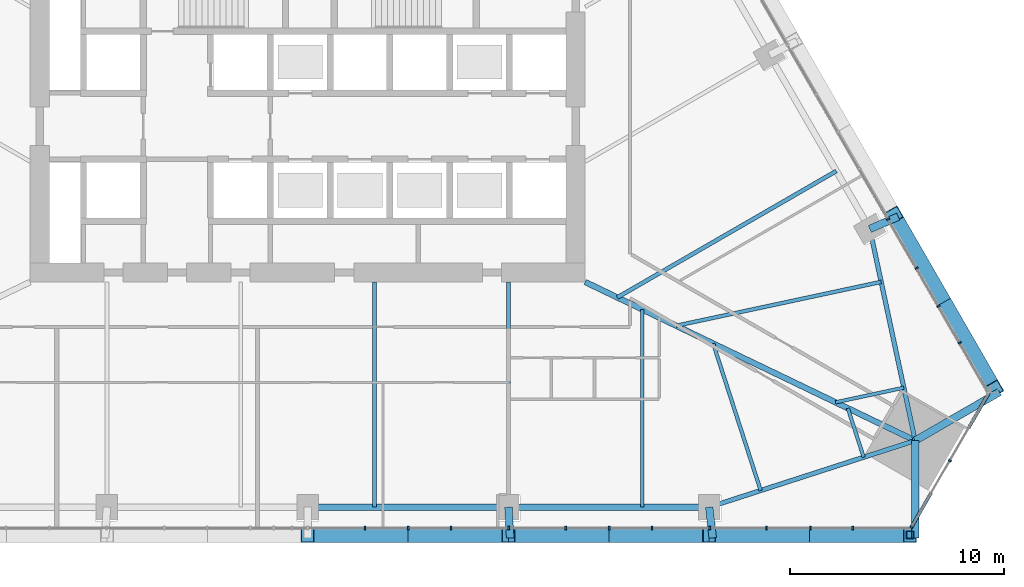
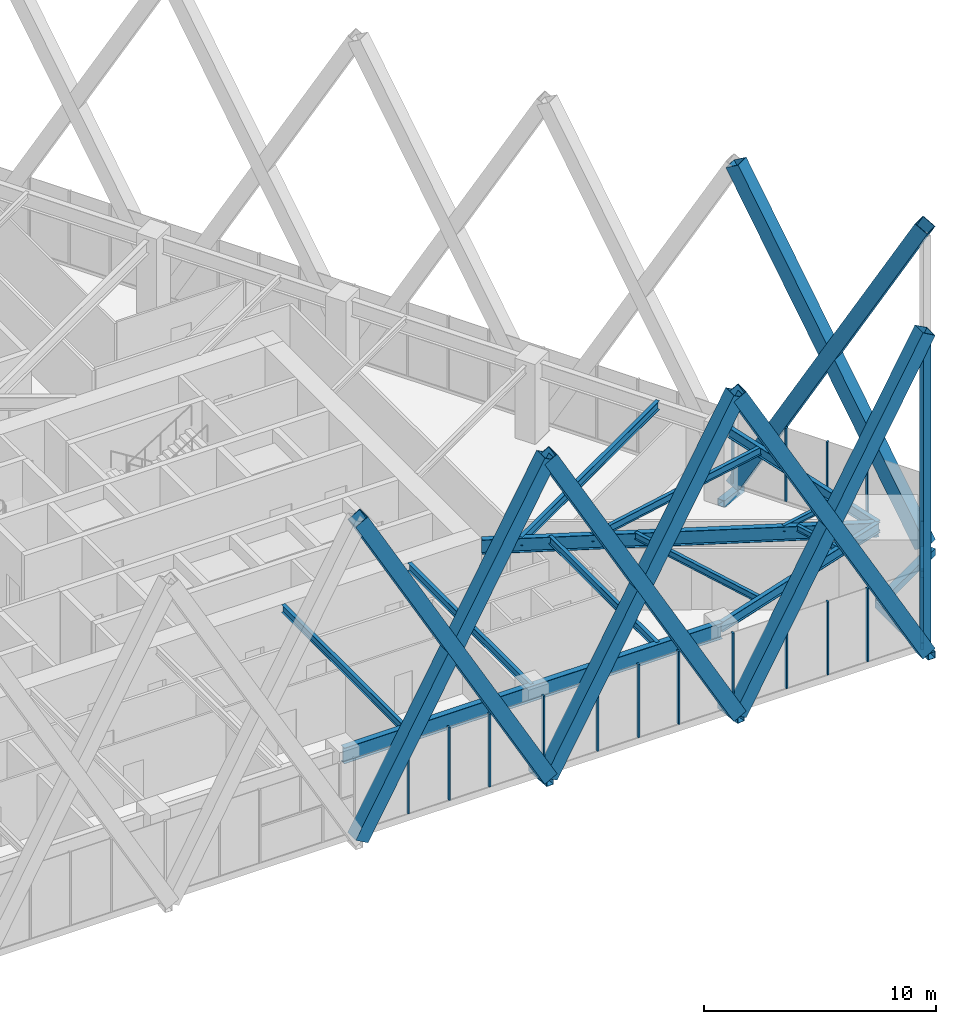
# One storey, part 7 of 21: 33 members, 12 beams, 3 elements without a shape of their own.
"""IFC4 building model written with IfcOpenShell, lengths in metres."""

from ifc_helpers import new_model, si_unit, direction, frame, origin, origin_2d, place, context, subcontext, project, spatial, rectangle, hollow_rectangle, i_section, extrude, material, layer, layer_set, material_profile, profile_set, type_object, element, aggregate, save


model = new_model("IFC4")

# Units and contexts
model_context = context("Model", 3, precision=1e-05, world=origin(), true_north=direction((0.0, 1.0)))
body_context = subcontext(model_context, "Body", "Model", "MODEL_VIEW")
ifc_project = project(units=[si_unit("LENGTHUNIT", "METRE"), si_unit("AREAUNIT", "SQUARE_METRE"), si_unit("VOLUMEUNIT", "CUBIC_METRE"), si_unit("PLANEANGLEUNIT", "RADIAN"), si_unit("MASSUNIT", "GRAM", prefix="KILO")], contexts=[model_context])

# Site, building, storey
site_placement = place(None, origin())
site = spatial("IfcSite", under=ifc_project, at=site_placement, CompositionType="ELEMENT")
building_placement = place(site_placement, origin())
building = spatial("IfcBuilding", under=site, at=building_placement, Name="Firuza Gate Tower and Library", CompositionType="ELEMENT")
storey_placement = place(building_placement, frame((0.0, 0.0, 90.39990234375)))
storey = spatial("IfcBuildingStorey", under=building, at=storey_placement, Name="L20", CompositionType="ELEMENT", Elevation=90.39990234375)

# Members
ifc_material_1 = material(Name="Steel S355", Category="steel")
ifc_material_profile_1 = material_profile(ifc_material_1, hollow_rectangle(XDim=0.699951171875, YDim=0.699951171875, WallThickness=0.030029296875, at=origin_2d()))
ifc_profile_set_1 = profile_set([ifc_material_profile_1], Name="Steel S355")
member_type_1 = type_object("IfcMemberType", Name="BU700x700x30 Lattice brace", PredefinedType="BRACE", material=ifc_profile_set_1)
for number, where, z_axis, x_axis, name in (
    (1, (75.0, 54.156005859375, 0.0), (0.488417237536, 0.0, 0.872610223455), (0.0, 1.0, 0.0), "Lattice brace S 4.4R"),
    (2, (84.4033203125, 54.156005859375, 0.0), (-0.488417237536, 0.0, 0.872610223455), (0.0, -1.0, 0.0), "Lattice brace S 4.4L"),
    (3, (84.4033203125, 54.156005859375, 0.0), (0.488417237536, 0.0, 0.872610223455), (0.0, 1.0, 0.0), "Lattice brace S 4.5R"),
    (4, (93.806640625, 54.156005859375, 0.0), (-0.488417237536, 0.0, 0.872610223455), (0.0, -1.0, 0.0), "Lattice brace S 4.5L"),
    (5, (93.806640625, 54.156005859375, 0.0), (0.488426893294, 0.0, 0.872604818865), (0.0, 1.0, 0.0), "Lattice brace S 4.6R"),
    (6, (103.210205078125, 54.156005859375, 0.0), (-0.488426893294, 0.0, 0.872604818865), (0.0, -1.0, 0.0), "Lattice brace S 4.6L"),
    (7, (107.156494140625, 60.991455078125, 0.0), (-0.24420840192, 0.422983459052, 0.872609448608), (-0.866026478318, -0.499998138849, 0.0), "Lattice brace E 4.1R"),
    (8, (102.454833984375, 69.135009765625, 0.0), (0.24420840192, -0.422983459052, 0.872609448608), (0.866026478318, 0.499998138849, 0.0), "Lattice brace E 4.1L"),
):
    element("IfcMember", number, at=place(storey_placement, frame(where, z_axis=z_axis, x_axis=x_axis)), inside=storey, type_object=member_type_1, Name=name, PredefinedType="BRACE", context=body_context, shape_type="SweptSolid", body=[
        extrude(hollow_rectangle(XDim=0.699951171875, YDim=0.699951171875, WallThickness=0.030029296875, at=origin_2d()), origin(), (0.0, 0.0, 1.0), 19.252685546875),
    ])

# Curtain wall, members
ifc_material_2 = material(Name="Aluminium 6063-T6", Category="aluminium")
ifc_layer_1 = layer(ifc_material_2, 0.14990234375)
ifc_layer_set_1 = layer_set([ifc_layer_1], Name="Unitised curtain wall, offices")
curtain_wall_type_1 = type_object("IfcCurtainWallType", Name="Unitised curtain wall, offices", PredefinedType="NOTDEFINED", material=ifc_layer_set_1)
placement = place(storey_placement, origin())
curtain_wall_1 = element("IfcCurtainWall", 9, at=placement, inside=storey, type_object=curtain_wall_type_1, Name="CW1 L20 S face", PredefinedType="NOTDEFINED")
ifc_material_3 = material(Name="Aluminium 6063-T6", Category="aluminium")
ifc_material_profile_2 = material_profile(ifc_material_3, rectangle(XDim=0.14990234375, YDim=0.080078125, at=origin_2d()))
ifc_profile_set_2 = profile_set([ifc_material_profile_2], Name="Aluminium 6063-T6")
member_type_2 = type_object("IfcMemberType", Name="Curtain wall mullion 80x150", PredefinedType="MULLION", material=ifc_profile_set_2)
member_1_placement = place(storey_placement, frame((79.708984375, 54.48095703125, 0.150146484375), z_axis=(0.0, 0.0, 1.0), x_axis=(0.0, 1.0, 0.0)))
member_1 = element("IfcMember", 10, at=member_1_placement, type_object=member_type_2, Name="Mullion", PredefinedType="MULLION", context=body_context, shape_type="SweptSolid", body=[
    extrude(rectangle(XDim=0.14990234375, YDim=0.080078125, at=origin_2d()), origin(), (0.0, 0.0, 1.0), 3.849853515625),
])
member_2_placement = place(storey_placement, frame((84.417724609375, 54.48095703125, 0.150146484375), z_axis=(0.0, 0.0, 1.0), x_axis=(0.0, 1.0, 0.0)))
member_2 = element("IfcMember", 11, at=member_2_placement, type_object=member_type_2, Name="Mullion", PredefinedType="MULLION", context=body_context, shape_type="SweptSolid", body=[
    extrude(rectangle(XDim=0.14990234375, YDim=0.080078125, at=origin_2d()), origin(), (0.0, 0.0, 1.0), 3.849853515625),
])
member_3_placement = place(storey_placement, frame((89.126708984375, 54.48095703125, 0.150146484375), z_axis=(0.0, 0.0, 1.0), x_axis=(0.0, 1.0, 0.0)))
member_3 = element("IfcMember", 12, at=member_3_placement, type_object=member_type_2, Name="Mullion", PredefinedType="MULLION", context=body_context, shape_type="SweptSolid", body=[
    extrude(rectangle(XDim=0.14990234375, YDim=0.080078125, at=origin_2d()), origin(), (0.0, 0.0, 1.0), 3.849853515625),
])
member_4_placement = place(storey_placement, frame((93.835693359375, 54.48095703125, 0.150146484375), z_axis=(0.0, 0.0, 1.0), x_axis=(0.0, 1.0, 0.0)))
member_4 = element("IfcMember", 13, at=member_4_placement, type_object=member_type_2, Name="Mullion", PredefinedType="MULLION", context=body_context, shape_type="SweptSolid", body=[
    extrude(rectangle(XDim=0.14990234375, YDim=0.080078125, at=origin_2d()), origin(), (0.0, 0.0, 1.0), 3.849853515625),
])
member_5_placement = place(storey_placement, frame((98.54443359375, 54.48095703125, 0.150146484375), z_axis=(0.0, 0.0, 1.0), x_axis=(0.0, 1.0, 0.0)))
member_5 = element("IfcMember", 14, at=member_5_placement, type_object=member_type_2, Name="Mullion", PredefinedType="MULLION", context=body_context, shape_type="SweptSolid", body=[
    extrude(rectangle(XDim=0.14990234375, YDim=0.080078125, at=origin_2d()), origin(), (0.0, 0.0, 1.0), 3.849853515625),
])
member_6_placement = place(storey_placement, frame((77.68505859375, 54.48095703125, 0.150146484375), z_axis=(0.0, 0.0, 1.0), x_axis=(0.0, 1.0, 0.0)))
member_6 = element("IfcMember", 15, at=member_6_placement, type_object=member_type_2, Name="Mullion", PredefinedType="MULLION", context=body_context, shape_type="SweptSolid", body=[
    extrude(rectangle(XDim=0.14990234375, YDim=0.080078125, at=origin_2d()), origin(), (0.0, 0.0, 1.0), 3.849853515625),
])
member_7_placement = place(storey_placement, frame((81.71826171875, 54.48095703125, 0.150146484375), z_axis=(0.0, 0.0, 1.0), x_axis=(0.0, 1.0, 0.0)))
member_7 = element("IfcMember", 16, at=member_7_placement, type_object=member_type_2, Name="Mullion", PredefinedType="MULLION", context=body_context, shape_type="SweptSolid", body=[
    extrude(rectangle(XDim=0.14990234375, YDim=0.080078125, at=origin_2d()), origin(), (0.0, 0.0, 1.0), 3.849853515625),
])
member_8_placement = place(storey_placement, frame((87.08837890625, 54.48095703125, 0.150146484375), z_axis=(0.0, 0.0, 1.0), x_axis=(0.0, 1.0, 0.0)))
member_8 = element("IfcMember", 17, at=member_8_placement, type_object=member_type_2, Name="Mullion", PredefinedType="MULLION", context=body_context, shape_type="SweptSolid", body=[
    extrude(rectangle(XDim=0.14990234375, YDim=0.080078125, at=origin_2d()), origin(), (0.0, 0.0, 1.0), 3.849853515625),
])
member_9_placement = place(storey_placement, frame((91.121826171875, 54.48095703125, 0.150146484375), z_axis=(0.0, 0.0, 1.0), x_axis=(0.0, 1.0, 0.0)))
member_9 = element("IfcMember", 18, at=member_9_placement, type_object=member_type_2, Name="Mullion", PredefinedType="MULLION", context=body_context, shape_type="SweptSolid", body=[
    extrude(rectangle(XDim=0.14990234375, YDim=0.080078125, at=origin_2d()), origin(), (0.0, 0.0, 1.0), 3.849853515625),
])
member_10_placement = place(storey_placement, frame((96.49169921875, 54.48095703125, 0.150146484375), z_axis=(0.0, 0.0, 1.0), x_axis=(0.0, 1.0, 0.0)))
member_10 = element("IfcMember", 19, at=member_10_placement, type_object=member_type_2, Name="Mullion", PredefinedType="MULLION", context=body_context, shape_type="SweptSolid", body=[
    extrude(rectangle(XDim=0.14990234375, YDim=0.080078125, at=origin_2d()), origin(), (0.0, 0.0, 1.0), 3.849853515625),
])
member_11_placement = place(storey_placement, frame((100.525146484375, 54.48095703125, 0.150146484375), z_axis=(0.0, 0.0, 1.0), x_axis=(0.0, 1.0, 0.0)))
member_11 = element("IfcMember", 20, at=member_11_placement, type_object=member_type_2, Name="Mullion", PredefinedType="MULLION", context=body_context, shape_type="SweptSolid", body=[
    extrude(rectangle(XDim=0.14990234375, YDim=0.080078125, at=origin_2d()), origin(), (0.0, 0.0, 1.0), 3.849853515625),
])
aggregate(curtain_wall_1, [member_1, member_2, member_3, member_4, member_5, member_6, member_7, member_8, member_9, member_10, member_11])

ifc_material_4 = material(Name="Aluminium 6063-T6", Category="aluminium")
ifc_layer_2 = layer(ifc_material_4, 0.14990234375)
ifc_layer_set_2 = layer_set([ifc_layer_2], Name="Corner curtain wall, chamfers")
curtain_wall_type_2 = type_object("IfcCurtainWallType", Name="Corner curtain wall, chamfers", PredefinedType="NOTDEFINED", material=ifc_layer_set_2)
curtain_wall_2 = element("IfcCurtainWall", 21, at=placement, inside=storey, type_object=curtain_wall_type_2, Name="CW4 L20 SE corner", PredefinedType="NOTDEFINED")
member_12_placement = place(storey_placement, frame((103.2734375, 54.515625, 0.150146484375), z_axis=(0.0, 0.0, 1.0), x_axis=(-0.866025403784, 0.5, 0.0)))
member_12 = element("IfcMember", 22, at=member_12_placement, type_object=member_type_2, Name="Mullion", PredefinedType="MULLION", context=body_context, shape_type="SweptSolid", body=[
    extrude(rectangle(XDim=0.14990234375, YDim=0.080078125, at=origin_2d()), origin(), (0.0, 0.0, 1.0), 3.849853515625),
])
member_13_placement = place(storey_placement, frame((105.074951171875, 57.63623046875, 0.150146484375), z_axis=(0.0, 0.0, 1.0), x_axis=(-0.866025403784, 0.5, 0.0)))
member_13 = element("IfcMember", 23, at=member_13_placement, type_object=member_type_2, Name="Mullion", PredefinedType="MULLION", context=body_context, shape_type="SweptSolid", body=[
    extrude(rectangle(XDim=0.14990234375, YDim=0.080078125, at=origin_2d()), origin(), (0.0, 0.0, 1.0), 3.849853515625),
])

curtain_wall_3 = element("IfcCurtainWall", 24, at=placement, inside=storey, type_object=curtain_wall_type_1, Name="CW1 L20 E face", PredefinedType="NOTDEFINED")
member_14_placement = place(storey_placement, frame((104.542236328125, 64.869384765625, 0.150146484375), z_axis=(0.0, 0.0, 1.0), x_axis=(-0.866025403784, -0.5, 0.0)))
member_14 = element("IfcMember", 25, at=member_14_placement, type_object=member_type_2, Name="Mullion", PredefinedType="MULLION", context=body_context, shape_type="SweptSolid", body=[
    extrude(rectangle(XDim=0.14990234375, YDim=0.080078125, at=origin_2d()), origin(), (0.0, 0.0, 1.0), 3.849853515625),
])
member_15_placement = place(storey_placement, frame((102.187744140625, 68.947509765625, 0.150146484375), z_axis=(0.0, 0.0, 1.0), x_axis=(-0.866025403784, -0.5, 0.0)))
member_15 = element("IfcMember", 26, at=member_15_placement, type_object=member_type_2, Name="Mullion", PredefinedType="MULLION", context=body_context, shape_type="SweptSolid", body=[
    extrude(rectangle(XDim=0.14990234375, YDim=0.080078125, at=origin_2d()), origin(), (0.0, 0.0, 1.0), 3.849853515625),
])
member_16_placement = place(storey_placement, frame((105.532470703125, 63.154052734375, 0.150146484375), z_axis=(0.0, 0.0, 1.0), x_axis=(-0.866025403784, -0.5, 0.0)))
member_16 = element("IfcMember", 27, at=member_16_placement, type_object=member_type_2, Name="Mullion", PredefinedType="MULLION", context=body_context, shape_type="SweptSolid", body=[
    extrude(rectangle(XDim=0.14990234375, YDim=0.080078125, at=origin_2d()), origin(), (0.0, 0.0, 1.0), 3.849853515625),
])
member_17_placement = place(storey_placement, frame((103.515869140625, 66.647216796875, 0.150146484375), z_axis=(0.0, 0.0, 1.0), x_axis=(-0.866025403784, -0.5, 0.0)))
member_17 = element("IfcMember", 28, at=member_17_placement, type_object=member_type_2, Name="Mullion", PredefinedType="MULLION", context=body_context, shape_type="SweptSolid", body=[
    extrude(rectangle(XDim=0.14990234375, YDim=0.080078125, at=origin_2d()), origin(), (0.0, 0.0, 1.0), 3.849853515625),
])
aggregate(curtain_wall_3, [member_14, member_15, member_16, member_17])

# Member
ifc_material_5 = material(Name="Aluminium 6063-T6", Category="aluminium")
ifc_material_profile_3 = material_profile(ifc_material_5, rectangle(XDim=0.14990234375, YDim=0.35009765625, at=origin_2d()))
ifc_profile_set_3 = profile_set([ifc_material_profile_3], Name="Aluminium 6063-T6")
member_type_3 = type_object("IfcMemberType", Name="Curtain wall transom 350x150", PredefinedType="USERDEFINED", material=ifc_profile_set_3)
member_18_placement = place(storey_placement, frame((103.25341796875, 54.48095703125, -0.02490234375), z_axis=(0.499983064336, 0.866035181374, 0.0), x_axis=(-0.866035181374, 0.499983064336, 0.0)))
member_18 = element("IfcMember", 29, at=member_18_placement, type_object=member_type_3, Name="Transom", ObjectType="TRANSOM", PredefinedType="USERDEFINED", context=body_context, shape_type="SweptSolid", body=[
    extrude(rectangle(XDim=0.14990234375, YDim=0.35009765625, at=origin_2d()), origin(), (0.0, 0.0, 1.0), 1.89208984375),
])

member_19_placement = place(storey_placement, frame((105.95068359375, 59.152587890625, -0.02490234375), z_axis=(0.499983064336, 0.866035181374, 0.0), x_axis=(-0.866035181374, 0.499983064336, 0.0)))
member_19 = element("IfcMember", 30, at=member_19_placement, type_object=member_type_3, Name="Transom", ObjectType="TRANSOM", PredefinedType="USERDEFINED", context=body_context, shape_type="SweptSolid", body=[
    extrude(rectangle(XDim=0.14990234375, YDim=0.35009765625, at=origin_2d()), origin(), (0.0, 0.0, 1.0), 1.89208984375),
])

aggregate(curtain_wall_2, [member_12, member_13, member_18, member_19])

# Members
ifc_material_6 = material(Name="Steel S355", Category="steel")
ifc_material_profile_4 = material_profile(ifc_material_6, hollow_rectangle(XDim=0.355712890625, YDim=0.355712890625, WallThickness=0.014892578125, at=origin_2d()))
ifc_profile_set_4 = profile_set([ifc_material_profile_4], Name="Steel S355")
member_type_4 = type_object("IfcMemberType", Name="HSS356x356x16 Lattice corner stile", PredefinedType="BRACE", material=ifc_profile_set_4)
member_20_placement = place(storey_placement, frame((103.210205078125, 54.156005859375, -0.139892578125), z_axis=(0.0, 0.0, 1.0), x_axis=(1.0, 0.0, 0.0)))
element("IfcMember", 31, at=member_20_placement, inside=storey, type_object=member_type_4, Name="Lattice corner stile S 4.B", PredefinedType="BRACE", context=body_context, shape_type="SweptSolid", body=[
    extrude(hollow_rectangle(XDim=0.355712890625, YDim=0.355712890625, WallThickness=0.014892578125, at=origin_2d()), origin(), (0.0, 0.0, 1.0), 16.43994140625),
])
ifc_material_7 = material(Name="Steel S355", Category="steel")
ifc_material_profile_5 = material_profile(ifc_material_7, hollow_rectangle(XDim=0.355712890625, YDim=0.355712890625, WallThickness=0.014892578125, at=origin_2d()))
ifc_profile_set_5 = profile_set([ifc_material_profile_5], Name="Steel S355")
member_type_5 = type_object("IfcMemberType", Name="HSS356x356x16 Lattice node tie", PredefinedType="BRACE", material=ifc_profile_set_5)
member_21_placement = place(storey_placement, frame((101.3291015625, 68.48486328125, -0.31982421875), z_axis=(0.91692020513, 0.399070592031, 0.0), x_axis=(-0.399070592031, 0.91692020513, 0.0)))
element("IfcMember", 32, at=member_21_placement, inside=storey, type_object=member_type_5, Name="Lattice node tie E L20 69", PredefinedType="BRACE", context=body_context, shape_type="SweptSolid", body=[
    extrude(hollow_rectangle(XDim=0.355712890625, YDim=0.355712890625, WallThickness=0.014892578125, at=origin_2d()), origin(), (0.0, 0.0, 1.0), 1.451171875),
])
member_22_placement = place(storey_placement, frame((103.451171875, 58.57373046875, -0.31982421875), z_axis=(0.866554392676, 0.499082642989, 0.0), x_axis=(-0.499082642989, 0.866554392676, 0.0)))
element("IfcMember", 33, at=member_22_placement, inside=storey, type_object=member_type_5, Name="Lattice node tie E L20 70", PredefinedType="BRACE", context=body_context, shape_type="SweptSolid", body=[
    extrude(hollow_rectangle(XDim=0.355712890625, YDim=0.355712890625, WallThickness=0.014892578125, at=origin_2d()), origin(), (0.0, 0.0, 1.0), 4.5595703125),
])
member_23_placement = place(storey_placement, frame((84.4033203125, 55.4560546875, -0.31982421875), z_axis=(0.056799452131, -0.998385607988, 0.0), x_axis=(0.998385607988, 0.056799452131, 0.0)))
element("IfcMember", 34, at=member_23_placement, inside=storey, type_object=member_type_5, Name="Lattice node tie S L20 75", PredefinedType="BRACE", context=body_context, shape_type="SweptSolid", body=[
    extrude(hollow_rectangle(XDim=0.355712890625, YDim=0.355712890625, WallThickness=0.014892578125, at=origin_2d()), origin(), (0.0, 0.0, 1.0), 1.4443359375),
])
member_24_placement = place(storey_placement, frame((93.806640625, 55.4560546875, -0.31982421875), z_axis=(0.113053127433, -0.993588944372, 0.0), x_axis=(0.993588944372, 0.113053127433, 0.0)))
element("IfcMember", 35, at=member_24_placement, inside=storey, type_object=member_type_5, Name="Lattice node tie S L20 76", PredefinedType="BRACE", context=body_context, shape_type="SweptSolid", body=[
    extrude(hollow_rectangle(XDim=0.355712890625, YDim=0.355712890625, WallThickness=0.014892578125, at=origin_2d()), origin(), (0.0, 0.0, 1.0), 1.451171875),
])
member_25_placement = place(storey_placement, frame((103.451171875, 58.57373046875, -0.31982421875), z_axis=(0.001017347942, -0.999999482501, 0.0), x_axis=(0.999999482501, 0.001017347942, 0.0)))
element("IfcMember", 36, at=member_25_placement, inside=storey, type_object=member_type_5, Name="Lattice node tie S L20 77", PredefinedType="BRACE", context=body_context, shape_type="SweptSolid", body=[
    extrude(hollow_rectangle(XDim=0.355712890625, YDim=0.355712890625, WallThickness=0.014892578125, at=origin_2d()), origin(), (0.0, 0.0, 1.0), 4.5595703125),
])

# Beams
ifc_material_8 = material(Name="Steel S355", Category="steel")
ifc_material_profile_6 = material_profile(ifc_material_8, i_section(OverallWidth=0.1650390625, OverallDepth=0.31005859375, WebThickness=0.005859375, FlangeThickness=0.009765625, at=origin_2d()))
ifc_profile_set_6 = profile_set([ifc_material_profile_6], Name="Steel S355")
beam_type_1 = type_object("IfcBeamType", Name="W310x39 Floor beam", PredefinedType="JOIST", material=ifc_profile_set_6)
beam_1_placement = place(storey_placement, frame((101.0400390625, 57.794189453125, 3.84521484375), z_axis=(-0.307529192358, 0.951538646534, 0.0), x_axis=(-0.951538646534, -0.307529192358, 0.0)))
element("IfcBeam", 37, at=beam_1_placement, inside=storey, type_object=beam_type_1, Name="Floor beam L20 s31", PredefinedType="JOIST", context=body_context, shape_type="SweptSolid", body=[
    extrude(i_section(OverallWidth=0.1650390625, OverallDepth=0.31005859375, WebThickness=0.005859375, FlangeThickness=0.009765625, at=origin_2d()), origin(), (0.0, 0.0, 1.0), 2.411865234375),
])
beam_2_placement = place(storey_placement, frame((102.920654296875, 61.051513671875, 3.84521484375), z_axis=(-0.97783625128, -0.209371119503, 0.0), x_axis=(0.209371119503, -0.97783625128, 0.0)))
element("IfcBeam", 38, at=beam_2_placement, inside=storey, type_object=beam_type_1, Name="Floor beam L20 s40", PredefinedType="JOIST", context=body_context, shape_type="SweptSolid", body=[
    extrude(i_section(OverallWidth=0.1650390625, OverallDepth=0.31005859375, WebThickness=0.005859375, FlangeThickness=0.009765625, at=origin_2d()), origin(), (0.0, 0.0, 1.0), 3.27197265625),
])
ifc_material_9 = material(Name="Steel S355", Category="steel")
ifc_material_profile_7 = material_profile(ifc_material_9, i_section(OverallWidth=0.1708984375, OverallDepth=0.35498046875, WebThickness=0.007080078125, FlangeThickness=0.01171875, at=origin_2d()))
ifc_profile_set_7 = profile_set([ifc_material_profile_7], Name="Steel S355")
beam_type_2 = type_object("IfcBeamType", Name="W360x51 Floor beam", PredefinedType="JOIST", material=ifc_profile_set_7)
beam_3_placement = place(storey_placement, frame((96.2177734375, 56.2353515625, 3.822509765625), z_axis=(-0.307569618225, 0.951525580289, 0.0), x_axis=(-0.951525580289, -0.307569618225, 0.0)))
element("IfcBeam", 39, at=beam_3_placement, inside=storey, type_object=beam_type_2, Name="Floor beam L20 s30", PredefinedType="JOIST", context=body_context, shape_type="SweptSolid", body=[
    extrude(i_section(OverallWidth=0.1708984375, OverallDepth=0.35498046875, WebThickness=0.007080078125, FlangeThickness=0.01171875, at=origin_2d()), origin(), (0.0, 0.0, 1.0), 7.2353515625),
])
ifc_material_10 = material(Name="Steel S355", Category="steel")
ifc_material_profile_8 = material_profile(ifc_material_10, i_section(OverallWidth=0.177978515625, OverallDepth=0.406982421875, WebThickness=0.0078125, FlangeThickness=0.0126953125, at=origin_2d()))
ifc_profile_set_8 = profile_set([ifc_material_profile_8], Name="Steel S355")
beam_type_3 = type_object("IfcBeamType", Name="W410x60 Floor beam", PredefinedType="JOIST", material=ifc_profile_set_8)
for number, where, z_axis, x_axis, name in (
    (40, (78.134521484375, 55.4560546875, 3.796630859375), (0.0, 1.0, 0.0), (-1.0, 0.0, 0.0), "Floor beam L20 s23"),
    (41, (84.4033203125, 55.4560546875, 3.796630859375), (0.0, 1.0, 0.0), (-1.0, 0.0, 0.0), "Floor beam L20 s24"),
):
    element("IfcBeam", number, at=place(storey_placement, frame(where, z_axis=z_axis, x_axis=x_axis)), inside=storey, type_object=beam_type_3, Name=name, PredefinedType="JOIST", context=body_context, shape_type="SweptSolid", body=[
        extrude(i_section(OverallWidth=0.177978515625, OverallDepth=0.406982421875, WebThickness=0.0078125, FlangeThickness=0.0126953125, at=origin_2d()), origin(), (0.0, 0.0, 1.0), 10.5439453125),
    ])
beam_4_placement = place(storey_placement, frame((90.67236328125, 55.4560546875, 3.796630859375), z_axis=(0.0, 1.0, 0.0), x_axis=(-1.0, 0.0, 0.0)))
element("IfcBeam", 42, at=beam_4_placement, inside=storey, type_object=beam_type_3, Name="Floor beam L20 s25", PredefinedType="JOIST", context=body_context, shape_type="SweptSolid", body=[
    extrude(i_section(OverallWidth=0.177978515625, OverallDepth=0.406982421875, WebThickness=0.0078125, FlangeThickness=0.0126953125, at=origin_2d()), origin(), (0.0, 0.0, 1.0), 9.259521484375),
])
beam_5_placement = place(storey_placement, frame((101.859619140625, 66.007080078125, 3.796630859375), z_axis=(-0.977835160952, -0.209376211652, 0.0), x_axis=(0.209376211652, -0.977835160952, 0.0)))
element("IfcBeam", 43, at=beam_5_placement, inside=storey, type_object=beam_type_3, Name="Floor beam L20 s41", PredefinedType="JOIST", context=body_context, shape_type="SweptSolid", body=[
    extrude(i_section(OverallWidth=0.177978515625, OverallDepth=0.406982421875, WebThickness=0.0078125, FlangeThickness=0.0126953125, at=origin_2d()), origin(), (0.0, 0.0, 1.0), 9.815673828125),
])
ifc_material_11 = material(Name="Steel S355", Category="steel")
ifc_material_profile_9 = material_profile(ifc_material_11, i_section(OverallWidth=0.18994140625, OverallDepth=0.45703125, WebThickness=0.009033203125, FlangeThickness=0.014404296875, at=origin_2d()))
ifc_profile_set_9 = profile_set([ifc_material_profile_9], Name="Steel S355")
beam_type_4 = type_object("IfcBeamType", Name="W460x74 Floor beam", PredefinedType="JOIST", material=ifc_profile_set_9)
beam_6_placement = place(storey_placement, frame((99.76171875, 71.199462890625, 3.771484375), z_axis=(-0.866019794698, -0.500009715097, 0.0), x_axis=(0.500009715097, -0.866019794698, 0.0)))
element("IfcBeam", 44, at=beam_6_placement, inside=storey, type_object=beam_type_4, Name="Floor beam L20 s50", PredefinedType="JOIST", context=body_context, shape_type="SweptSolid", body=[
    extrude(i_section(OverallWidth=0.18994140625, OverallDepth=0.45703125, WebThickness=0.009033203125, FlangeThickness=0.014404296875, at=origin_2d()), origin(), (0.0, 0.0, 1.0), 11.844482421875),
])
ifc_material_12 = material(Name="Steel S355", Category="steel")
ifc_material_profile_10 = material_profile(ifc_material_12, i_section(OverallWidth=0.212890625, OverallDepth=0.5390625, WebThickness=0.01171875, FlangeThickness=0.018798828125, at=origin_2d()))
ifc_profile_set_10 = profile_set([ifc_material_profile_10], Name="Steel S355")
beam_type_5 = type_object("IfcBeamType", Name="W530x109 Edge beam", PredefinedType="SPANDREL", material=ifc_profile_set_10)
beam_7_placement = place(storey_placement, frame((93.806640625, 55.4560546875, 3.730712890625), z_axis=(0.951520013056, 0.307586840996, 0.0), x_axis=(-0.307586840996, 0.951520013056, 0.0)))
element("IfcBeam", 45, at=beam_7_placement, inside=storey, type_object=beam_type_5, Name="Edge beam L20 e30", PredefinedType="SPANDREL", context=body_context, shape_type="SweptSolid", body=[
    extrude(i_section(OverallWidth=0.212890625, OverallDepth=0.5390625, WebThickness=0.01171875, FlangeThickness=0.018798828125, at=origin_2d()), origin(), (0.0, 0.0, 1.0), 10.135986328125),
])
beam_8_placement = place(storey_placement, frame((103.451171875, 58.57373046875, 3.730712890625), z_axis=(-0.209364588878, 0.977837649574, 0.0), x_axis=(-0.977837649574, -0.209364588878, 0.0)))
element("IfcBeam", 46, at=beam_8_placement, inside=storey, type_object=beam_type_5, Name="Edge beam L20 e40", PredefinedType="SPANDREL", context=body_context, shape_type="SweptSolid", body=[
    extrude(i_section(OverallWidth=0.212890625, OverallDepth=0.5390625, WebThickness=0.01171875, FlangeThickness=0.018798828125, at=origin_2d()), origin(), (0.0, 0.0, 1.0), 10.1357421875),
])
ifc_material_13 = material(Name="Steel S355", Category="steel")
ifc_material_profile_11 = material_profile(ifc_material_13, i_section(OverallWidth=0.264892578125, OverallDepth=0.7529296875, WebThickness=0.01318359375, FlangeThickness=0.01708984375, at=origin_2d()))
ifc_profile_set_11 = profile_set([ifc_material_profile_11], Name="Steel S355")
beam_type_6 = type_object("IfcBeamType", Name="W760x147 Girder", PredefinedType="BEAM", material=ifc_profile_set_11)
beam_9_placement = place(storey_placement, frame((103.451171875, 58.57373046875, 3.62353515625), z_axis=(-0.901302042776, 0.433191213771, 0.0), x_axis=(-0.433191213771, -0.901302042776, 0.0)))
element("IfcBeam", 47, at=beam_9_placement, inside=storey, type_object=beam_type_6, Name="Girder L20 gSE", PredefinedType="BEAM", context=body_context, shape_type="SweptSolid", body=[
    extrude(i_section(OverallWidth=0.264892578125, OverallDepth=0.7529296875, WebThickness=0.01318359375, FlangeThickness=0.01708984375, at=origin_2d()), origin(), (0.0, 0.0, 1.0), 17.14306640625),
])
ifc_material_14 = material(Name="Steel S355", Category="steel")
ifc_material_profile_12 = material_profile(ifc_material_14, i_section(OverallWidth=0.2919921875, OverallDepth=0.8349609375, WebThickness=0.013916015625, FlangeThickness=0.018798828125, at=origin_2d()))
ifc_profile_set_12 = profile_set([ifc_material_profile_12], Name="Steel S355")
beam_type_7 = type_object("IfcBeamType", Name="W840x176 Edge beam", PredefinedType="SPANDREL", material=ifc_profile_set_12)
beam_10_placement = place(storey_placement, frame((75.0, 55.4560546875, 3.58251953125), z_axis=(1.0, 0.0, 0.0), x_axis=(0.0, 1.0, 0.0)))
element("IfcBeam", 48, at=beam_10_placement, inside=storey, type_object=beam_type_7, Name="Edge beam L20 e22", PredefinedType="SPANDREL", context=body_context, shape_type="SweptSolid", body=[
    extrude(i_section(OverallWidth=0.2919921875, OverallDepth=0.8349609375, WebThickness=0.013916015625, FlangeThickness=0.018798828125, at=origin_2d()), origin(), (0.0, 0.0, 1.0), 18.806640625),
])

save(model, "model.ifc")
